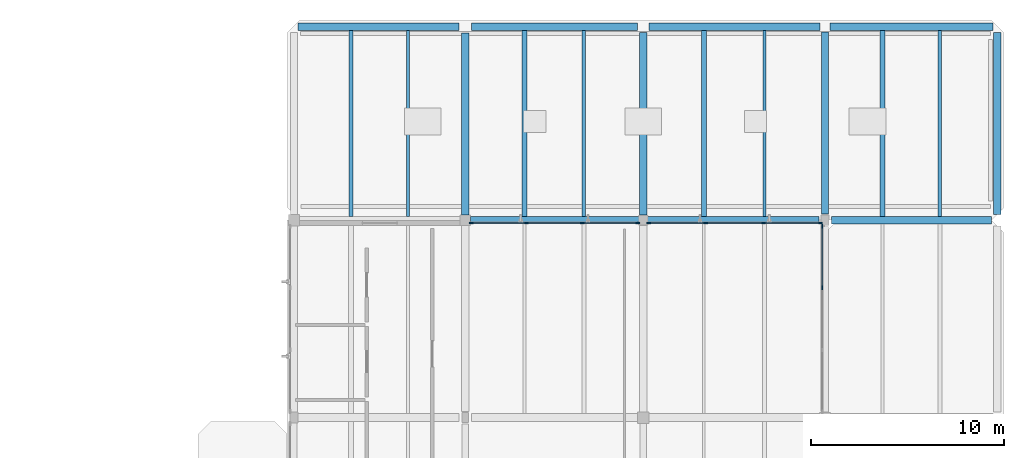
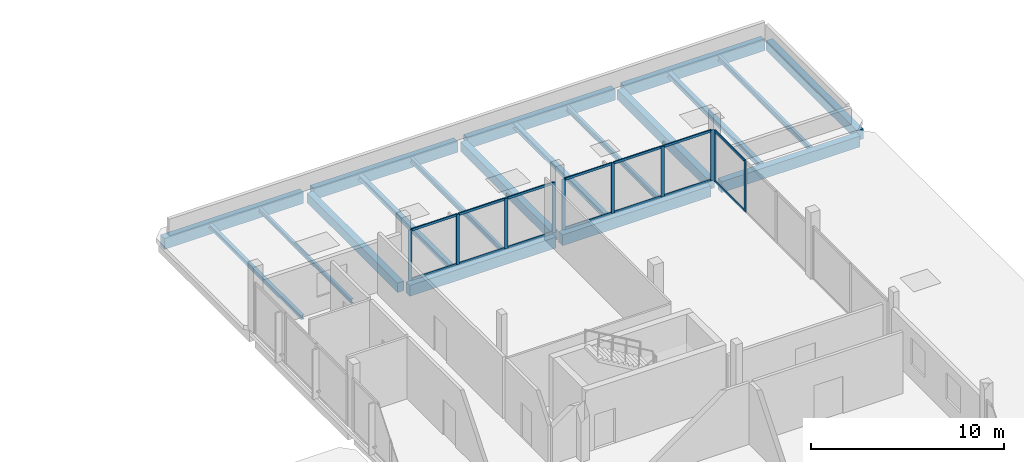
# One storey, part 31 of 66: 24 members, 19 beams, 3 elements without a shape of their own.
"""IFC4 building model written with IfcOpenShell, lengths in metres."""

from ifc_helpers import new_model, si_unit, direction, frame, origin, origin_2d, place, context, subcontext, project, spatial, rectangle, i_section, extrude, material, layer, layer_set, material_profile, profile_set, type_object, element, aggregate, save


model = new_model("IFC4")

# Units and contexts
model_context = context("Model", 3, precision=1e-05, world=origin(), true_north=direction((0.0, 1.0)))
body_context = subcontext(model_context, "Body", "Model", "MODEL_VIEW")
ifc_project = project(units=[si_unit("LENGTHUNIT", "METRE"), si_unit("AREAUNIT", "SQUARE_METRE"), si_unit("VOLUMEUNIT", "CUBIC_METRE"), si_unit("PLANEANGLEUNIT", "RADIAN"), si_unit("MASSUNIT", "GRAM", prefix="KILO")], contexts=[model_context])

# Site, building, storey
site_placement = place(None, origin())
site = spatial("IfcSite", under=ifc_project, at=site_placement, CompositionType="ELEMENT")
building_placement = place(site_placement, origin())
building = spatial("IfcBuilding", under=site, at=building_placement, Name="Birchvale Park Specialist Clinic", CompositionType="ELEMENT")
storey_placement = place(building_placement, frame((0.0, 0.0, 5.39990234375)))
storey = spatial("IfcBuildingStorey", under=building, at=storey_placement, Name="L01", CompositionType="ELEMENT", Elevation=5.39990234375)

# Beams
ifc_material_1 = material(Name="Concrete C40/50", Category="concrete")
ifc_material_profile_1 = material_profile(ifc_material_1, rectangle(XDim=0.39990234375, YDim=0.68994140625, at=origin_2d()), Name="RCB-400x690")
ifc_profile_set_1 = profile_set([ifc_material_profile_1], Name="Concrete C40/50")
beam_type_1 = type_object("IfcBeamType", Name="BM-EXT-BG4", PredefinedType="BEAM", material=ifc_profile_set_1)
beam_1_placement = place(storey_placement, frame((137.47509765625, 101.39990234375, -0.64501953125), z_axis=(1.0, 0.0, 0.0), x_axis=(0.0, 1.0, 0.0)))
element("IfcBeam", 1, at=beam_1_placement, inside=storey, type_object=beam_type_1, Name="V6 L01 X girder 18", PredefinedType="BEAM", context=body_context, shape_type="SweptSolid", body=[
    extrude(rectangle(XDim=0.39990234375, YDim=0.68994140625, at=origin_2d()), origin(), (0.0, 0.0, 1.0), 8.724853515625),
])
beam_2_placement = place(storey_placement, frame((146.60009765625, 101.39990234375, -0.64501953125), z_axis=(1.0, 0.0, 0.0), x_axis=(0.0, 1.0, 0.0)))
element("IfcBeam", 2, at=beam_2_placement, inside=storey, type_object=beam_type_1, Name="V6 L01 X girder 19", PredefinedType="BEAM", context=body_context, shape_type="SweptSolid", body=[
    extrude(rectangle(XDim=0.39990234375, YDim=0.68994140625, at=origin_2d()), origin(), (0.0, 0.0, 1.0), 8.875),
])
beam_3_placement = place(storey_placement, frame((156.125, 101.39990234375, -0.619873046875), z_axis=(1.0, 0.0, 0.0), x_axis=(0.0, 1.0, 0.0)))
element("IfcBeam", 3, at=beam_3_placement, inside=storey, type_object=beam_type_1, Name="V6 L01 X girder 20", PredefinedType="BEAM", context=body_context, shape_type="SweptSolid", body=[
    extrude(rectangle(XDim=0.39990234375, YDim=0.68994140625, at=origin_2d()), origin(), (0.0, 0.0, 1.0), 8.284912109375),
])
beam_4_placement = place(storey_placement, frame((128.56005859375, 111.39990234375, -0.619873046875), z_axis=(1.0, 0.0, 0.0), x_axis=(0.0, 1.0, 0.0)))
element("IfcBeam", 4, at=beam_4_placement, inside=storey, type_object=beam_type_1, Name="V6 L01 X girder 21", PredefinedType="BEAM", context=body_context, shape_type="SweptSolid", body=[
    extrude(rectangle(XDim=0.39990234375, YDim=0.68994140625, at=origin_2d()), origin(), (0.0, 0.0, 1.0), 8.324951171875),
])
beam_5_placement = place(storey_placement, frame((137.514892578125, 111.39990234375, -0.619873046875), z_axis=(1.0, 0.0, 0.0), x_axis=(0.0, 1.0, 0.0)))
element("IfcBeam", 5, at=beam_5_placement, inside=storey, type_object=beam_type_1, Name="V6 L01 X girder 22", PredefinedType="BEAM", context=body_context, shape_type="SweptSolid", body=[
    extrude(rectangle(XDim=0.39990234375, YDim=0.68994140625, at=origin_2d()), origin(), (0.0, 0.0, 1.0), 8.59521484375),
])
beam_6_placement = place(storey_placement, frame((146.68994140625, 111.39990234375, -0.619873046875), z_axis=(1.0, 0.0, 0.0), x_axis=(0.0, 1.0, 0.0)))
element("IfcBeam", 6, at=beam_6_placement, inside=storey, type_object=beam_type_1, Name="V6 L01 X girder 23", PredefinedType="BEAM", context=body_context, shape_type="SweptSolid", body=[
    extrude(rectangle(XDim=0.39990234375, YDim=0.68994140625, at=origin_2d()), origin(), (0.0, 0.0, 1.0), 8.844970703125),
])
beam_7_placement = place(storey_placement, frame((156.06494140625, 111.39990234375, -0.619873046875), z_axis=(1.0, 0.0, 0.0), x_axis=(0.0, 1.0, 0.0)))
element("IfcBeam", 7, at=beam_7_placement, inside=storey, type_object=beam_type_1, Name="V6 L01 X girder 24", PredefinedType="BEAM", context=body_context, shape_type="SweptSolid", body=[
    extrude(rectangle(XDim=0.39990234375, YDim=0.68994140625, at=origin_2d()), origin(), (0.0, 0.0, 1.0), 8.425048828125),
])
ifc_material_profile_2 = material_profile(ifc_material_1, rectangle(XDim=0.3798828125, YDim=0.639892578125, at=origin_2d()), Name="RCB-380x640")
ifc_profile_set_2 = profile_set([ifc_material_profile_2], Name="Concrete C40/50")
beam_type_2 = type_object("IfcBeamType", Name="BM-EXT-BG5", PredefinedType="BEAM", material=ifc_profile_set_2)
beam_8_placement = place(storey_placement, frame((155.800048828125, 101.72509765625, -0.594970703125), z_axis=(0.0, 1.0, 0.0), x_axis=(-1.0, 0.0, 0.0)))
element("IfcBeam", 8, at=beam_8_placement, inside=storey, type_object=beam_type_2, Name="V6 L01 Y girder 44", PredefinedType="BEAM", context=body_context, shape_type="SweptSolid", body=[
    extrude(rectangle(XDim=0.3798828125, YDim=0.639892578125, at=origin_2d()), origin(), (0.0, 0.0, 1.0), 9.409912109375),
])
beam_9_placement = place(storey_placement, frame((164.699951171875, 101.68994140625, -0.594970703125), z_axis=(0.0, 1.0, 0.0), x_axis=(-1.0, 0.0, 0.0)))
element("IfcBeam", 9, at=beam_9_placement, inside=storey, type_object=beam_type_2, Name="V6 L01 Y girder 49", PredefinedType="BEAM", context=body_context, shape_type="SweptSolid", body=[
    extrude(rectangle(XDim=0.3798828125, YDim=0.639892578125, at=origin_2d()), origin(), (0.0, 0.0, 1.0), 9.420166015625),
])
ifc_material_profile_3 = material_profile(ifc_material_1, rectangle(XDim=0.3798828125, YDim=0.60009765625, at=origin_2d()), Name="RCB-380x600")
ifc_profile_set_3 = profile_set([ifc_material_profile_3], Name="Concrete C40/50")
beam_type_3 = type_object("IfcBeamType", Name="BM-INT-BG5", PredefinedType="BEAM", material=ifc_profile_set_3)
beam_10_placement = place(storey_placement, frame((137.199951171875, 101.675048828125, -0.574951171875), z_axis=(0.0, 1.0, 0.0), x_axis=(-1.0, 0.0, 0.0)))
element("IfcBeam", 10, at=beam_10_placement, inside=storey, type_object=beam_type_3, Name="V6 L01 Y girder 34", PredefinedType="BEAM", context=body_context, shape_type="SweptSolid", body=[
    extrude(rectangle(XDim=0.3798828125, YDim=0.60009765625, at=origin_2d()), origin(), (0.0, 0.0, 1.0), 9.409912109375),
])
beam_11_placement = place(storey_placement, frame((146.39990234375, 101.675048828125, -0.574951171875), z_axis=(0.0, 1.0, 0.0), x_axis=(-1.0, 0.0, 0.0)))
element("IfcBeam", 11, at=beam_11_placement, inside=storey, type_object=beam_type_3, Name="V6 L01 Y girder 39", PredefinedType="BEAM", context=body_context, shape_type="SweptSolid", body=[
    extrude(rectangle(XDim=0.3798828125, YDim=0.60009765625, at=origin_2d()), origin(), (0.0, 0.0, 1.0), 9.43505859375),
])

# Curtain wall, members
ifc_material_2 = material(Name="Thermally broken anodised aluminium", Category="aluminium")
ifc_layer = layer(ifc_material_2, 0.2099609375)
ifc_layer_set = layer_set([ifc_layer], Name="Thermally broken anodised aluminium")
curtain_wall_type = type_object("IfcCurtainWallType", Name="CW-U3", PredefinedType="USERDEFINED", material=ifc_layer_set)
curtain_wall_1_placement = place(storey_placement, origin())
curtain_wall_1 = element("IfcCurtainWall", 12, at=curtain_wall_1_placement, inside=storey, type_object=curtain_wall_type, Name="V6 L01 glazed curtain wall 97", ObjectType="UNITISED", PredefinedType="USERDEFINED")
ifc_material_profile_4 = material_profile(ifc_material_2, rectangle(XDim=0.070068359375, YDim=0.199951171875, at=origin_2d()), Name="CWM-70x200")
ifc_profile_set_4 = profile_set([ifc_material_profile_4], Name="Thermally broken anodised aluminium")
member_type_1 = type_object("IfcMemberType", Name="CWM3", PredefinedType="MULLION", material=ifc_profile_set_4)
member_1_placement = place(storey_placement, frame((155.655029296875, 97.908447265625, 0.0), z_axis=(0.0, 0.0, 1.0), x_axis=(-1.0, 0.0, 0.0)))
member_1 = element("IfcMember", 13, at=member_1_placement, type_object=member_type_1, Name="CW mullion 3", PredefinedType="MULLION", context=body_context, shape_type="SweptSolid", body=[
    extrude(rectangle(XDim=0.070068359375, YDim=0.199951171875, at=origin_2d()), origin(), (0.0, 0.0, 1.0), 3.235107421875),
])
member_2_placement = place(storey_placement, frame((155.655029296875, 101.090087890625, 0.0), z_axis=(0.0, 0.0, 1.0), x_axis=(-1.0, 0.0, 0.0)))
member_2 = element("IfcMember", 14, at=member_2_placement, type_object=member_type_1, Name="CW mullion 4", PredefinedType="MULLION", context=body_context, shape_type="SweptSolid", body=[
    extrude(rectangle(XDim=0.070068359375, YDim=0.199951171875, at=origin_2d()), origin(), (0.0, 0.0, 1.0), 3.235107421875),
])

curtain_wall_2_placement = place(storey_placement, origin())
curtain_wall_2 = element("IfcCurtainWall", 15, at=curtain_wall_2_placement, inside=storey, type_object=curtain_wall_type, Name="V6 L01 glazed curtain wall 98", ObjectType="UNITISED", PredefinedType="USERDEFINED")
member_3_placement = place(storey_placement, frame((155.56494140625, 101.2548828125, 0.0), z_axis=(0.0, 0.0, 1.0), x_axis=(0.0, -1.0, 0.0)))
member_3 = element("IfcMember", 16, at=member_3_placement, type_object=member_type_1, Name="CW mullion 1", PredefinedType="MULLION", context=body_context, shape_type="SweptSolid", body=[
    extrude(rectangle(XDim=0.070068359375, YDim=0.199951171875, at=origin_2d()), origin(), (0.0, 0.0, 1.0), 3.18505859375),
])
member_4_placement = place(storey_placement, frame((152.61669921875, 101.2548828125, 0.0), z_axis=(0.0, 0.0, 1.0), x_axis=(0.0, -1.0, 0.0)))
member_4 = element("IfcMember", 17, at=member_4_placement, type_object=member_type_1, Name="CW mullion 2", PredefinedType="MULLION", context=body_context, shape_type="SweptSolid", body=[
    extrude(rectangle(XDim=0.070068359375, YDim=0.199951171875, at=origin_2d()), origin(), (0.0, 0.0, 1.0), 3.18505859375),
])
member_5_placement = place(storey_placement, frame((149.63330078125, 101.2548828125, 0.0), z_axis=(0.0, 0.0, 1.0), x_axis=(0.0, -1.0, 0.0)))
member_5 = element("IfcMember", 18, at=member_5_placement, type_object=member_type_1, Name="CW mullion 3", PredefinedType="MULLION", context=body_context, shape_type="SweptSolid", body=[
    extrude(rectangle(XDim=0.070068359375, YDim=0.199951171875, at=origin_2d()), origin(), (0.0, 0.0, 1.0), 3.18505859375),
])
member_6_placement = place(storey_placement, frame((146.68505859375, 101.2548828125, 0.0), z_axis=(0.0, 0.0, 1.0), x_axis=(0.0, -1.0, 0.0)))
member_6 = element("IfcMember", 19, at=member_6_placement, type_object=member_type_1, Name="CW mullion 4", PredefinedType="MULLION", context=body_context, shape_type="SweptSolid", body=[
    extrude(rectangle(XDim=0.070068359375, YDim=0.199951171875, at=origin_2d()), origin(), (0.0, 0.0, 1.0), 3.18505859375),
])

curtain_wall_3_placement = place(storey_placement, origin())
curtain_wall_3 = element("IfcCurtainWall", 20, at=curtain_wall_3_placement, inside=storey, type_object=curtain_wall_type, Name="V6 L01 glazed curtain wall 99", ObjectType="UNITISED", PredefinedType="USERDEFINED")
member_7_placement = place(storey_placement, frame((146.114990234375, 101.2548828125, 0.0), z_axis=(0.0, 0.0, 1.0), x_axis=(0.0, -1.0, 0.0)))
member_7 = element("IfcMember", 21, at=member_7_placement, type_object=member_type_1, Name="CW mullion 1", PredefinedType="MULLION", context=body_context, shape_type="SweptSolid", body=[
    extrude(rectangle(XDim=0.070068359375, YDim=0.199951171875, at=origin_2d()), origin(), (0.0, 0.0, 1.0), 3.18505859375),
])
member_8_placement = place(storey_placement, frame((143.25830078125, 101.2548828125, 0.0), z_axis=(0.0, 0.0, 1.0), x_axis=(0.0, -1.0, 0.0)))
member_8 = element("IfcMember", 22, at=member_8_placement, type_object=member_type_1, Name="CW mullion 2", PredefinedType="MULLION", context=body_context, shape_type="SweptSolid", body=[
    extrude(rectangle(XDim=0.070068359375, YDim=0.199951171875, at=origin_2d()), origin(), (0.0, 0.0, 1.0), 3.18505859375),
])
member_9_placement = place(storey_placement, frame((140.36669921875, 101.2548828125, 0.0), z_axis=(0.0, 0.0, 1.0), x_axis=(0.0, -1.0, 0.0)))
member_9 = element("IfcMember", 23, at=member_9_placement, type_object=member_type_1, Name="CW mullion 3", PredefinedType="MULLION", context=body_context, shape_type="SweptSolid", body=[
    extrude(rectangle(XDim=0.070068359375, YDim=0.199951171875, at=origin_2d()), origin(), (0.0, 0.0, 1.0), 3.18505859375),
])
member_10_placement = place(storey_placement, frame((137.510009765625, 101.2548828125, 0.0), z_axis=(0.0, 0.0, 1.0), x_axis=(0.0, -1.0, 0.0)))
member_10 = element("IfcMember", 24, at=member_10_placement, type_object=member_type_1, Name="CW mullion 4", PredefinedType="MULLION", context=body_context, shape_type="SweptSolid", body=[
    extrude(rectangle(XDim=0.070068359375, YDim=0.199951171875, at=origin_2d()), origin(), (0.0, 0.0, 1.0), 3.18505859375),
])

# Member
ifc_material_profile_5 = material_profile(ifc_material_2, rectangle(XDim=0.070068359375, YDim=0.14990234375, at=origin_2d()), Name="CWT-70x150")
ifc_profile_set_5 = profile_set([ifc_material_profile_5], Name="Thermally broken anodised aluminium")
member_type_2 = type_object("IfcMemberType", Name="CWT3", PredefinedType="USERDEFINED", material=ifc_profile_set_5)
member_11_placement = place(storey_placement, frame((155.655029296875, 97.943359375, 0.03515625), z_axis=(0.0, 1.0, 0.0), x_axis=(-1.0, 0.0, 0.0)))
member_11 = element("IfcMember", 25, at=member_11_placement, type_object=member_type_2, Name="CW transom 3.1", ObjectType="TRANSOM", PredefinedType="USERDEFINED", context=body_context, shape_type="SweptSolid", body=[
    extrude(rectangle(XDim=0.070068359375, YDim=0.14990234375, at=origin_2d()), origin(), (0.0, 0.0, 1.0), 3.111572265625),
])

member_12_placement = place(storey_placement, frame((155.655029296875, 97.943359375, 3.2001953125), z_axis=(0.0, 1.0, 0.0), x_axis=(-1.0, 0.0, 0.0)))
member_12 = element("IfcMember", 26, at=member_12_placement, type_object=member_type_2, Name="CW transom 3.2", ObjectType="TRANSOM", PredefinedType="USERDEFINED", context=body_context, shape_type="SweptSolid", body=[
    extrude(rectangle(XDim=0.070068359375, YDim=0.14990234375, at=origin_2d()), origin(), (0.0, 0.0, 1.0), 3.111572265625),
])

aggregate(curtain_wall_1, [member_1, member_2, member_11, member_12])

member_13_placement = place(storey_placement, frame((155.530029296875, 101.2548828125, 0.03515625), z_axis=(-1.0, 0.0, 0.0), x_axis=(0.0, -1.0, 0.0)))
member_13 = element("IfcMember", 27, at=member_13_placement, type_object=member_type_2, Name="CW transom 1.1", ObjectType="TRANSOM", PredefinedType="USERDEFINED", context=body_context, shape_type="SweptSolid", body=[
    extrude(rectangle(XDim=0.070068359375, YDim=0.14990234375, at=origin_2d()), origin(), (0.0, 0.0, 1.0), 2.87841796875),
])

member_14_placement = place(storey_placement, frame((155.530029296875, 101.2548828125, 3.150146484375), z_axis=(-1.0, 0.0, 0.0), x_axis=(0.0, -1.0, 0.0)))
member_14 = element("IfcMember", 28, at=member_14_placement, type_object=member_type_2, Name="CW transom 1.2", ObjectType="TRANSOM", PredefinedType="USERDEFINED", context=body_context, shape_type="SweptSolid", body=[
    extrude(rectangle(XDim=0.070068359375, YDim=0.14990234375, at=origin_2d()), origin(), (0.0, 0.0, 1.0), 2.87841796875),
])

member_15_placement = place(storey_placement, frame((152.581787109375, 101.2548828125, 0.03515625), z_axis=(-1.0, 0.0, 0.0), x_axis=(0.0, -1.0, 0.0)))
member_15 = element("IfcMember", 29, at=member_15_placement, type_object=member_type_2, Name="CW transom 2.1", ObjectType="TRANSOM", PredefinedType="USERDEFINED", context=body_context, shape_type="SweptSolid", body=[
    extrude(rectangle(XDim=0.070068359375, YDim=0.14990234375, at=origin_2d()), origin(), (0.0, 0.0, 1.0), 2.91357421875),
])

member_16_placement = place(storey_placement, frame((152.581787109375, 101.2548828125, 3.150146484375), z_axis=(-1.0, 0.0, 0.0), x_axis=(0.0, -1.0, 0.0)))
member_16 = element("IfcMember", 30, at=member_16_placement, type_object=member_type_2, Name="CW transom 2.2", ObjectType="TRANSOM", PredefinedType="USERDEFINED", context=body_context, shape_type="SweptSolid", body=[
    extrude(rectangle(XDim=0.070068359375, YDim=0.14990234375, at=origin_2d()), origin(), (0.0, 0.0, 1.0), 2.91357421875),
])

member_17_placement = place(storey_placement, frame((149.598388671875, 101.2548828125, 0.03515625), z_axis=(-1.0, 0.0, 0.0), x_axis=(0.0, -1.0, 0.0)))
member_17 = element("IfcMember", 31, at=member_17_placement, type_object=member_type_2, Name="CW transom 3.1", ObjectType="TRANSOM", PredefinedType="USERDEFINED", context=body_context, shape_type="SweptSolid", body=[
    extrude(rectangle(XDim=0.070068359375, YDim=0.14990234375, at=origin_2d()), origin(), (0.0, 0.0, 1.0), 2.87841796875),
])

member_18_placement = place(storey_placement, frame((149.598388671875, 101.2548828125, 3.150146484375), z_axis=(-1.0, 0.0, 0.0), x_axis=(0.0, -1.0, 0.0)))
member_18 = element("IfcMember", 32, at=member_18_placement, type_object=member_type_2, Name="CW transom 3.2", ObjectType="TRANSOM", PredefinedType="USERDEFINED", context=body_context, shape_type="SweptSolid", body=[
    extrude(rectangle(XDim=0.070068359375, YDim=0.14990234375, at=origin_2d()), origin(), (0.0, 0.0, 1.0), 2.87841796875),
])

aggregate(curtain_wall_2, [member_3, member_4, member_5, member_6, member_13, member_14, member_15, member_16, member_17, member_18])

member_19_placement = place(storey_placement, frame((146.080078125, 101.2548828125, 0.03515625), z_axis=(-1.0, 0.0, 0.0), x_axis=(0.0, -1.0, 0.0)))
member_19 = element("IfcMember", 33, at=member_19_placement, type_object=member_type_2, Name="CW transom 1.1", ObjectType="TRANSOM", PredefinedType="USERDEFINED", context=body_context, shape_type="SweptSolid", body=[
    extrude(rectangle(XDim=0.070068359375, YDim=0.14990234375, at=origin_2d()), origin(), (0.0, 0.0, 1.0), 2.786865234375),
])

member_20_placement = place(storey_placement, frame((146.080078125, 101.2548828125, 3.150146484375), z_axis=(-1.0, 0.0, 0.0), x_axis=(0.0, -1.0, 0.0)))
member_20 = element("IfcMember", 34, at=member_20_placement, type_object=member_type_2, Name="CW transom 1.2", ObjectType="TRANSOM", PredefinedType="USERDEFINED", context=body_context, shape_type="SweptSolid", body=[
    extrude(rectangle(XDim=0.070068359375, YDim=0.14990234375, at=origin_2d()), origin(), (0.0, 0.0, 1.0), 2.786865234375),
])

member_21_placement = place(storey_placement, frame((143.223388671875, 101.2548828125, 0.03515625), z_axis=(-1.0, 0.0, 0.0), x_axis=(0.0, -1.0, 0.0)))
member_21 = element("IfcMember", 35, at=member_21_placement, type_object=member_type_2, Name="CW transom 2.1", ObjectType="TRANSOM", PredefinedType="USERDEFINED", context=body_context, shape_type="SweptSolid", body=[
    extrude(rectangle(XDim=0.070068359375, YDim=0.14990234375, at=origin_2d()), origin(), (0.0, 0.0, 1.0), 2.82177734375),
])

member_22_placement = place(storey_placement, frame((143.223388671875, 101.2548828125, 3.150146484375), z_axis=(-1.0, 0.0, 0.0), x_axis=(0.0, -1.0, 0.0)))
member_22 = element("IfcMember", 36, at=member_22_placement, type_object=member_type_2, Name="CW transom 2.2", ObjectType="TRANSOM", PredefinedType="USERDEFINED", context=body_context, shape_type="SweptSolid", body=[
    extrude(rectangle(XDim=0.070068359375, YDim=0.14990234375, at=origin_2d()), origin(), (0.0, 0.0, 1.0), 2.82177734375),
])

member_23_placement = place(storey_placement, frame((140.331787109375, 101.2548828125, 0.03515625), z_axis=(-1.0, 0.0, 0.0), x_axis=(0.0, -1.0, 0.0)))
member_23 = element("IfcMember", 37, at=member_23_placement, type_object=member_type_2, Name="CW transom 3.1", ObjectType="TRANSOM", PredefinedType="USERDEFINED", context=body_context, shape_type="SweptSolid", body=[
    extrude(rectangle(XDim=0.070068359375, YDim=0.14990234375, at=origin_2d()), origin(), (0.0, 0.0, 1.0), 2.786865234375),
])

member_24_placement = place(storey_placement, frame((140.331787109375, 101.2548828125, 3.150146484375), z_axis=(-1.0, 0.0, 0.0), x_axis=(0.0, -1.0, 0.0)))
member_24 = element("IfcMember", 38, at=member_24_placement, type_object=member_type_2, Name="CW transom 3.2", ObjectType="TRANSOM", PredefinedType="USERDEFINED", context=body_context, shape_type="SweptSolid", body=[
    extrude(rectangle(XDim=0.070068359375, YDim=0.14990234375, at=origin_2d()), origin(), (0.0, 0.0, 1.0), 2.786865234375),
])

aggregate(curtain_wall_3, [member_7, member_8, member_9, member_10, member_19, member_20, member_21, member_22, member_23, member_24])

# Beams
ifc_material_3 = material(Name="Steel ASTM A992 Grade 50", Category="steel")
ifc_material_profile_6 = material_profile(ifc_material_3, i_section(OverallWidth=0.25390625, OverallDepth=0.305908203125, WebThickness=0.0087890625, FlangeThickness=0.0146484375, at=origin_2d()), Name="W12X53")
ifc_profile_set_6 = profile_set([ifc_material_profile_6], Name="Steel ASTM A992 Grade 50")
beam_type_4 = type_object("IfcBeamType", Name="STL-INT-SJ2", PredefinedType="JOIST", material=ifc_profile_set_6)
for number, where, z_axis, x_axis, name in (
    (39, (140.2666015625, 101.60009765625, -0.427978515625), (0.0, 1.0, 0.0), (-1.0, 0.0, 0.0), "V6 L01 secondary floor joist 16"),
    (40, (149.533203125, 101.60009765625, -0.427978515625), (0.0, 1.0, 0.0), (-1.0, 0.0, 0.0), "V6 L01 secondary floor joist 26"),
    (41, (158.7666015625, 101.60009765625, -0.427978515625), (0.0, 1.0, 0.0), (-1.0, 0.0, 0.0), "V6 L01 secondary floor joist 36"),
):
    element("IfcBeam", number, at=place(storey_placement, frame(where, z_axis=z_axis, x_axis=x_axis)), inside=storey, type_object=beam_type_4, Name=name, PredefinedType="JOIST", context=body_context, shape_type="SweptSolid", body=[
        extrude(i_section(OverallWidth=0.25390625, OverallDepth=0.305908203125, WebThickness=0.0087890625, FlangeThickness=0.0146484375, at=origin_2d()), origin(), (0.0, 0.0, 1.0), 9.599853515625),
    ])
ifc_material_profile_7 = material_profile(ifc_material_3, i_section(OverallWidth=0.1669921875, OverallDepth=0.31689453125, WebThickness=0.007568359375, FlangeThickness=0.01318359375, at=origin_2d()), Name="W12X35")
ifc_profile_set_7 = profile_set([ifc_material_profile_7], Name="Steel ASTM A992 Grade 50")
beam_type_5 = type_object("IfcBeamType", Name="STL-INT-SJ3", PredefinedType="JOIST", material=ifc_profile_set_7)
for number, where, z_axis, x_axis, name in (
    (42, (143.333251953125, 101.60009765625, -0.433349609375), (0.0, 1.0, 0.0), (-1.0, 0.0, 0.0), "V6 L01 secondary floor joist 17"),
    (43, (152.666748046875, 101.60009765625, -0.433349609375), (0.0, 1.0, 0.0), (-1.0, 0.0, 0.0), "V6 L01 secondary floor joist 27"),
    (44, (161.7333984375, 101.60009765625, -0.433349609375), (0.0, 1.0, 0.0), (-1.0, 0.0, 0.0), "V6 L01 secondary floor joist 37"),
):
    element("IfcBeam", number, at=place(storey_placement, frame(where, z_axis=z_axis, x_axis=x_axis)), inside=storey, type_object=beam_type_5, Name=name, PredefinedType="JOIST", context=body_context, shape_type="SweptSolid", body=[
        extrude(i_section(OverallWidth=0.1669921875, OverallDepth=0.31689453125, WebThickness=0.007568359375, FlangeThickness=0.01318359375, at=origin_2d()), origin(), (0.0, 0.0, 1.0), 9.599853515625),
    ])
ifc_material_profile_8 = material_profile(ifc_material_3, i_section(OverallWidth=0.202880859375, OverallDepth=0.251953125, WebThickness=0.008056640625, FlangeThickness=0.013427734375, at=origin_2d()), Name="W10X39")
ifc_profile_set_8 = profile_set([ifc_material_profile_8], Name="Steel ASTM A992 Grade 50")
beam_type_6 = type_object("IfcBeamType", Name="STL-INT-SJ4", PredefinedType="JOIST", material=ifc_profile_set_8)
beam_12_placement = place(storey_placement, frame((131.300048828125, 101.60009765625, -0.40087890625), z_axis=(0.0, 1.0, 0.0), x_axis=(-1.0, 0.0, 0.0)))
element("IfcBeam", 45, at=beam_12_placement, inside=storey, type_object=beam_type_6, Name="V6 L01 secondary floor joist 8", PredefinedType="JOIST", context=body_context, shape_type="SweptSolid", body=[
    extrude(i_section(OverallWidth=0.202880859375, OverallDepth=0.251953125, WebThickness=0.008056640625, FlangeThickness=0.013427734375, at=origin_2d()), origin(), (0.0, 0.0, 1.0), 9.599853515625),
])
ifc_material_profile_9 = material_profile(ifc_material_3, i_section(OverallWidth=0.14697265625, OverallDepth=0.261962890625, WebThickness=0.006591796875, FlangeThickness=0.01123046875, at=origin_2d()), Name="W10X26")
ifc_profile_set_9 = profile_set([ifc_material_profile_9], Name="Steel ASTM A992 Grade 50")
beam_type_7 = type_object("IfcBeamType", Name="STL-INT-SJ5", PredefinedType="JOIST", material=ifc_profile_set_9)
beam_13_placement = place(storey_placement, frame((134.25, 101.60009765625, -0.406005859375), z_axis=(0.0, 1.0, 0.0), x_axis=(-1.0, 0.0, 0.0)))
element("IfcBeam", 46, at=beam_13_placement, inside=storey, type_object=beam_type_7, Name="V6 L01 secondary floor joist 9", PredefinedType="JOIST", context=body_context, shape_type="SweptSolid", body=[
    extrude(i_section(OverallWidth=0.14697265625, OverallDepth=0.261962890625, WebThickness=0.006591796875, FlangeThickness=0.01123046875, at=origin_2d()), origin(), (0.0, 0.0, 1.0), 9.599853515625),
])

save(model, "model.ifc")
